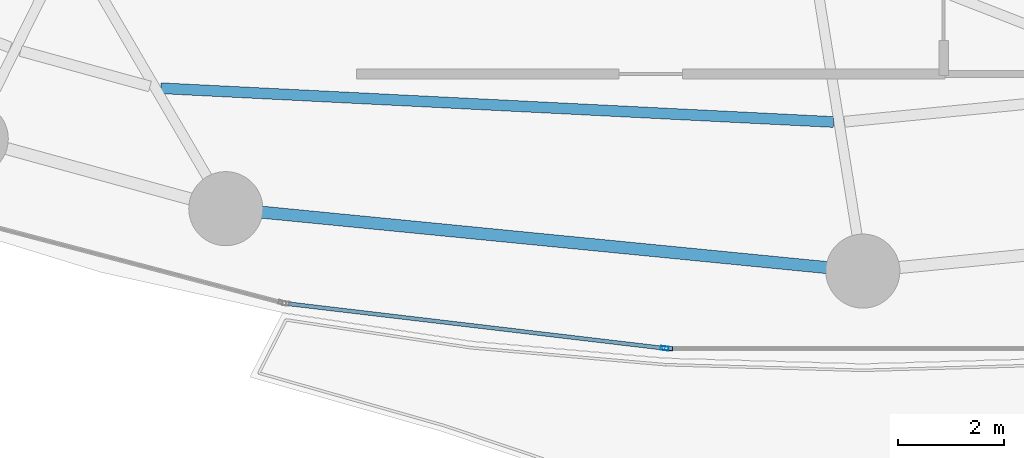
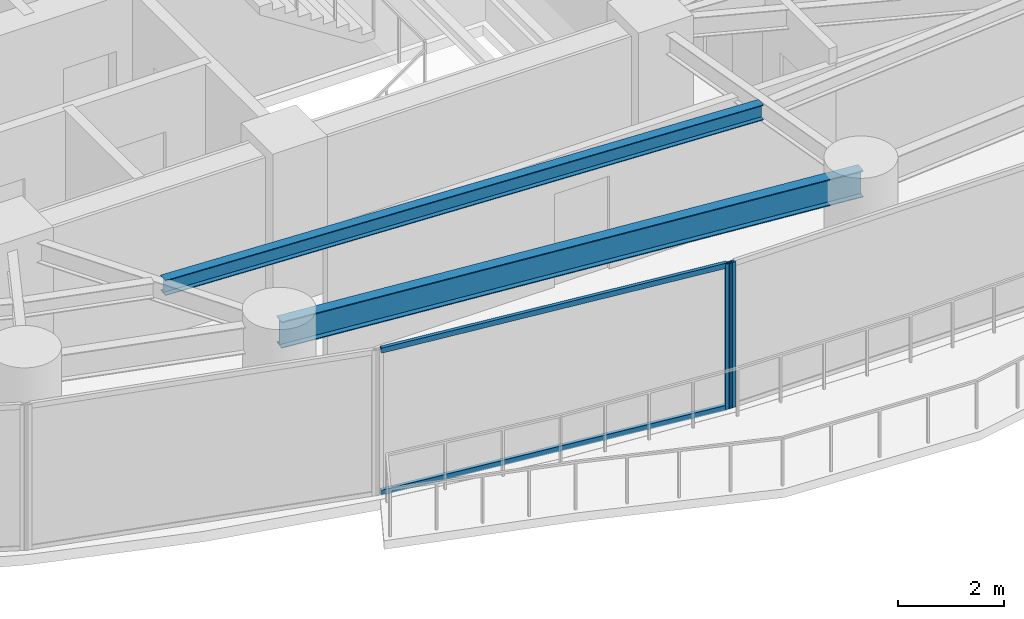
# One storey, part 6 of 31: 4 members, 2 beams, 2 elements without a shape of their own.
"""IFC4 building model written with IfcOpenShell, lengths in metres."""

from ifc_helpers import new_model, si_unit, direction, frame, origin, origin_2d, place, context, subcontext, project, spatial, hollow_rectangle, i_section, extrude, material, layer, layer_set, material_profile, profile_set, type_object, element, aggregate, save


model = new_model("IFC4")

# Units and contexts
model_context = context("Model", 3, precision=1e-05, world=origin(), true_north=direction((0.0, 1.0)))
body_context = subcontext(model_context, "Body", "Model", "MODEL_VIEW")
ifc_project = project(units=[si_unit("LENGTHUNIT", "METRE"), si_unit("AREAUNIT", "SQUARE_METRE"), si_unit("VOLUMEUNIT", "CUBIC_METRE"), si_unit("PLANEANGLEUNIT", "RADIAN"), si_unit("MASSUNIT", "GRAM", prefix="KILO")], contexts=[model_context])

# Site, building, storey
site_placement = place(None, origin())
site = spatial("IfcSite", under=ifc_project, at=site_placement, CompositionType="ELEMENT")
building_placement = place(site_placement, origin())
building = spatial("IfcBuilding", under=site, at=building_placement, Name="Kazevale Care Tower and Concert Hall", CompositionType="ELEMENT")
storey_placement = place(building_placement, frame((0.0, 0.0, 81.60009765625)))
storey = spatial("IfcBuildingStorey", under=building, at=storey_placement, Name="L21", CompositionType="ELEMENT", Elevation=81.60009765625)

# Curtain wall, member
ifc_material_1 = material(Name="Aluminium 6063-T6 and Low-E Glass", Category="aluminium")
ifc_layer = layer(ifc_material_1, 0.179931640625)
ifc_layer_set = layer_set([ifc_layer], Name="Aluminium 6063-T6 and Low-E Glass")
curtain_wall_type = type_object("IfcCurtainWallType", Name="Sheltered Concave Balcony Curtain Wall CW-5", PredefinedType="NOTDEFINED", material=ifc_layer_set)
curtain_wall_1_placement = place(storey_placement, origin())
curtain_wall_1 = element("IfcCurtainWall", 1, at=curtain_wall_1_placement, inside=storey, type_object=curtain_wall_type, Name="cw:L21:f06", PredefinedType="NOTDEFINED")
ifc_material_2 = material(Name="Aluminium 6063-T6", Category="aluminium")
ifc_material_profile_1 = material_profile(ifc_material_2, hollow_rectangle(XDim=0.074951171875, YDim=0.14990234375, WallThickness=0.00390625, at=origin_2d()), Name="ALU75x150x4")
ifc_profile_set_1 = profile_set([ifc_material_profile_1], Name="Aluminium 6063-T6")
member_type_1 = type_object("IfcMemberType", Name="CW-5 Mullion ALU75x150x4", PredefinedType="MULLION", material=ifc_profile_set_1)
member_1_placement = place(storey_placement, frame((41.33056640625, 15.885986328125, 0.0), z_axis=(0.0, 0.0, 1.0), x_axis=(0.0, -1.0, 0.0)))
member_1 = element("IfcMember", 2, at=member_1_placement, type_object=member_type_1, Name="CW-5 mullion 2", PredefinedType="MULLION", context=body_context, shape_type="SweptSolid", body=[
    extrude(hollow_rectangle(XDim=0.074951171875, YDim=0.14990234375, WallThickness=0.00390625, at=origin_2d()), origin(), (0.0, 0.0, 1.0), 3.35986328125),
])
aggregate(curtain_wall_1, [member_1])

# Curtain wall, members
curtain_wall_2_placement = place(storey_placement, origin())
curtain_wall_2 = element("IfcCurtainWall", 3, at=curtain_wall_2_placement, inside=storey, type_object=curtain_wall_type, Name="cw:L21:f07", PredefinedType="NOTDEFINED")
member_2_placement = place(storey_placement, frame((41.255859375, 15.890380859375, 0.0), z_axis=(0.0, 0.0, 1.0), x_axis=(-0.117519084253, -0.993070624294, 0.0)))
member_2 = element("IfcMember", 4, at=member_2_placement, type_object=member_type_1, Name="CW-5 mullion 1", PredefinedType="MULLION", context=body_context, shape_type="SweptSolid", body=[
    extrude(hollow_rectangle(XDim=0.074951171875, YDim=0.14990234375, WallThickness=0.00390625, at=origin_2d()), origin(), (0.0, 0.0, 1.0), 3.35986328125),
])
ifc_material_profile_2 = material_profile(ifc_material_2, hollow_rectangle(XDim=0.074951171875, YDim=0.1201171875, WallThickness=0.00390625, at=origin_2d()), Name="ALU75x120x4")
ifc_profile_set_2 = profile_set([ifc_material_profile_2], Name="Aluminium 6063-T6")
member_type_2 = type_object("IfcMemberType", Name="CW-5 Transom ALU75x120x4", PredefinedType="USERDEFINED", material=ifc_profile_set_2)
member_3_placement = place(storey_placement, frame((41.218505859375, 15.894775390625, 0.037353515625), z_axis=(-0.993069913078, 0.117525094085, 0.0), x_axis=(-0.117525094085, -0.993069913078, 0.0)))
member_3 = element("IfcMember", 5, at=member_3_placement, type_object=member_type_2, Name="CW-5 transom 1.1", ObjectType="TRANSOM", PredefinedType="USERDEFINED", context=body_context, shape_type="SweptSolid", body=[
    extrude(hollow_rectangle(XDim=0.074951171875, YDim=0.1201171875, WallThickness=0.00390625, at=origin_2d()), origin(), (0.0, 0.0, 1.0), 7.125244140625),
])
member_4_placement = place(storey_placement, frame((41.218505859375, 15.894775390625, 3.322509765625), z_axis=(-0.993069913078, 0.117525094085, 0.0), x_axis=(-0.117525094085, -0.993069913078, 0.0)))
member_4 = element("IfcMember", 6, at=member_4_placement, type_object=member_type_2, Name="CW-5 transom 1.2", ObjectType="TRANSOM", PredefinedType="USERDEFINED", context=body_context, shape_type="SweptSolid", body=[
    extrude(hollow_rectangle(XDim=0.074951171875, YDim=0.1201171875, WallThickness=0.00390625, at=origin_2d()), origin(), (0.0, 0.0, 1.0), 7.125244140625),
])
aggregate(curtain_wall_2, [member_2, member_3, member_4])

# Beams
ifc_material_3 = material(Name="Steel ASTM A572 Gr 50", Category="steel")
ifc_material_profile_3 = material_profile(ifc_material_3, i_section(OverallWidth=0.22900390625, OverallDepth=0.612060546875, WebThickness=0.011962890625, FlangeThickness=0.01953125, at=origin_2d()), Name="W610x125")
ifc_profile_set_3 = profile_set([ifc_material_profile_3], Name="Steel ASTM A572 Gr 50")
beam_type_1 = type_object("IfcBeamType", Name="Ring Spandrel Beam W610x125", PredefinedType="SPANDREL", material=ifc_profile_set_3)
beam_1_placement = place(storey_placement, frame((32.9599609375, 18.530029296875, 3.053955078125), z_axis=(0.995232251602, -0.09753340644, 0.0), x_axis=(0.09753340644, 0.995232251602, 0.0)))
element("IfcBeam", 7, at=beam_1_placement, inside=storey, type_object=beam_type_1, Name="beam:L21:ring:12", PredefinedType="SPANDREL", context=body_context, shape_type="SweptSolid", body=[
    extrude(i_section(OverallWidth=0.22900390625, OverallDepth=0.612060546875, WebThickness=0.011962890625, FlangeThickness=0.01953125, at=origin_2d()), origin(), (0.0, 0.0, 1.0), 12.09765625),
])
ifc_material_profile_4 = material_profile(ifc_material_3, i_section(OverallWidth=0.205078125, OverallDepth=0.35400390625, WebThickness=0.009521484375, FlangeThickness=0.016845703125, at=origin_2d()), Name="W360x79")
ifc_profile_set_4 = profile_set([ifc_material_profile_4], Name="Steel ASTM A572 Gr 50")
beam_type_2 = type_object("IfcBeamType", Name="Secondary Floor Joist W360x79", PredefinedType="JOIST", material=ifc_profile_set_4)
beam_2_placement = place(storey_placement, frame((31.73291015625, 20.805908203125, 3.182861328125), z_axis=(0.998743186005, -0.050120339262, 0.0), x_axis=(0.050120339262, 0.998743186005, 0.0)))
element("IfcBeam", 8, at=beam_2_placement, inside=storey, type_object=beam_type_2, Name="beam:L21:joist:12", PredefinedType="JOIST", context=body_context, shape_type="SweptSolid", body=[
    extrude(i_section(OverallWidth=0.205078125, OverallDepth=0.35400390625, WebThickness=0.009521484375, FlangeThickness=0.016845703125, at=origin_2d()), origin(), (0.0, 0.0, 1.0), 12.728271484375),
])

save(model, "model.ifc")
